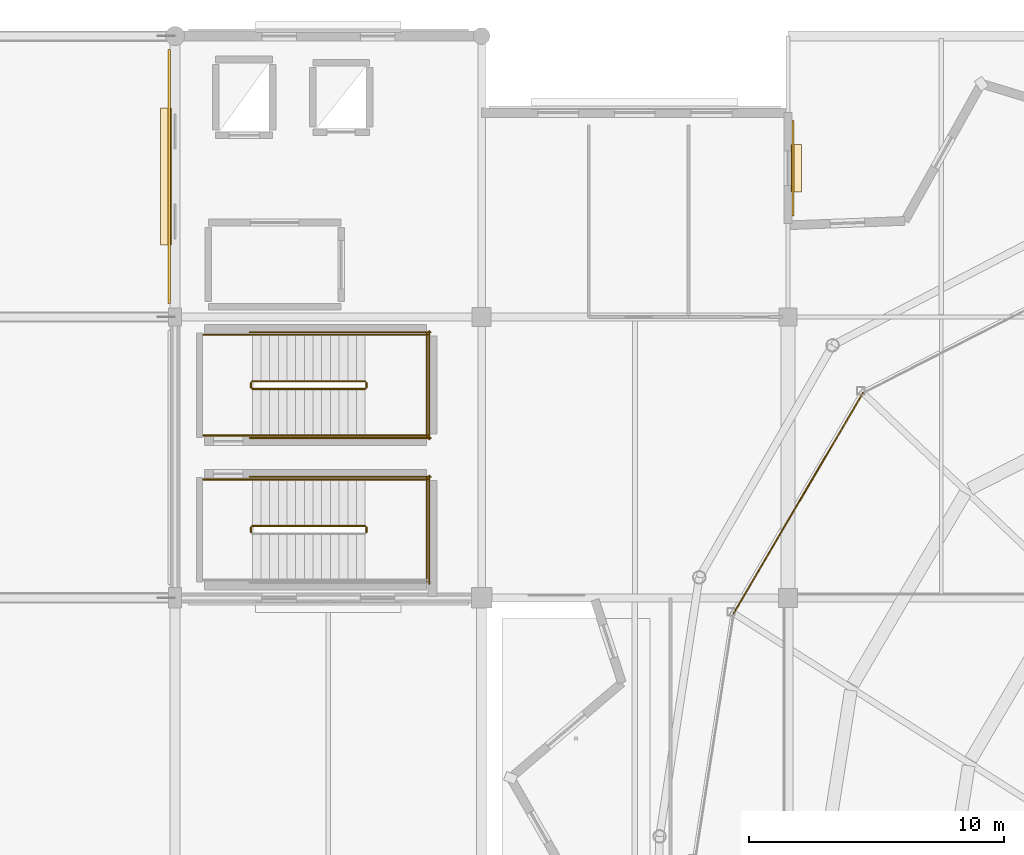
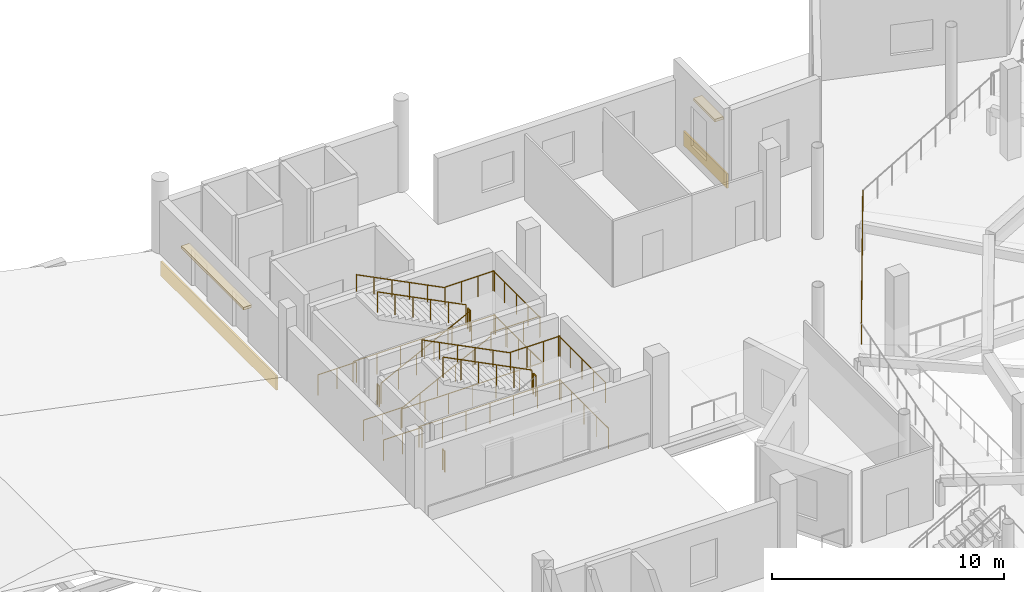
# One storey, part 70 of 77: 24 railings, 4 coverings.
"""IFC4 building model written with IfcOpenShell, lengths in metres."""

from ifc_helpers import new_model, si_unit, direction, frame, origin, origin_2d, place, context, subcontext, project, spatial, rectangle, circle, extrude, material, layer, layer_set, type_object, element, save


model = new_model("IFC4")

# Units and contexts
model_context = context("Model", 3, precision=1e-05, world=origin(), true_north=direction((0.0, 1.0)))
body_context = subcontext(model_context, "Body", "Model", "MODEL_VIEW")
ifc_project = project(units=[si_unit("LENGTHUNIT", "METRE"), si_unit("AREAUNIT", "SQUARE_METRE"), si_unit("VOLUMEUNIT", "CUBIC_METRE"), si_unit("PLANEANGLEUNIT", "RADIAN"), si_unit("MASSUNIT", "GRAM", prefix="KILO")], contexts=[model_context])

# Site, building, storey
site_placement = place(None, origin())
site = spatial("IfcSite", under=ifc_project, at=site_placement, CompositionType="ELEMENT")
building_placement = place(site_placement, origin())
building = spatial("IfcBuilding", under=site, at=building_placement, Name="Luwafu Chhajja Arena", CompositionType="ELEMENT")
storey_placement = place(building_placement, frame((0.0, 0.0, 14.699951171875)))
storey = spatial("IfcBuildingStorey", under=building, at=storey_placement, Name="L03", CompositionType="ELEMENT", Elevation=14.699951171875)

# Coverings
ifc_material_1 = material(Name="Red laterite sandstone cladding", Category="masonry")
ifc_layer = layer(ifc_material_1, 0.074951171875, Name="Red laterite sandstone cladding")
ifc_layer_set = layer_set([ifc_layer], Name="Red laterite sandstone cladding")
covering_type = type_object("IfcCoveringType", Name="Dressed Red-Laterite Sandstone Cladding", PredefinedType="CLADDING", material=ifc_layer_set)
covering_1_placement = place(storey_placement, frame((33.76806640625, 93.5, 0.0), z_axis=(0.0, 0.0, 1.0), x_axis=(0.0, 1.0, 0.0)))
element("IfcCovering", 1, at=covering_1_placement, inside=storey, type_object=covering_type, Name="L03 Red-Laterite Sandstone Plinth Cladding 085", PredefinedType="CLADDING", context=body_context, shape_type="SweptSolid", body=[
    extrude(rectangle(XDim=9.9599609375, YDim=0.0849609375, at=origin_2d()), origin(), (0.0, 0.0, 1.0), 0.760009765625),
])
covering_2_placement = place(storey_placement, frame((33.639892578125, 93.5, 2.93017578125), z_axis=(0.0, 0.0, 1.0), x_axis=(0.0, 1.0, 0.0)))
element("IfcCovering", 2, at=covering_2_placement, inside=storey, type_object=covering_type, Name="L03 Mughal Sandstone Window Chhajja Hood 0079", PredefinedType="CLADDING", context=body_context, shape_type="SweptSolid", body=[
    extrude(rectangle(XDim=5.3701171875, YDim=0.419921875, at=origin_2d()), origin(), (0.0, 0.0, 1.0), 0.139892578125),
])
covering_3_placement = place(storey_placement, frame((58.19189453125, 93.825927734375, 0.0), z_axis=(0.0, 0.0, 1.0), x_axis=(0.0, 1.0, 0.0)))
element("IfcCovering", 3, at=covering_3_placement, inside=storey, type_object=covering_type, Name="L03 Red-Laterite Sandstone Plinth Cladding 088", PredefinedType="CLADDING", context=body_context, shape_type="SweptSolid", body=[
    extrude(rectangle(XDim=3.748291015625, YDim=0.0849609375, at=origin_2d()), origin(), (0.0, 0.0, 1.0), 0.760009765625),
])
covering_4_placement = place(storey_placement, frame((58.320068359375, 93.82568359375, 2.93017578125), z_axis=(0.0, 0.0, 1.0), x_axis=(0.0, 1.0, 0.0)))
element("IfcCovering", 4, at=covering_4_placement, inside=storey, type_object=covering_type, Name="L03 Mughal Sandstone Window Chhajja Hood 0082", PredefinedType="CLADDING", context=body_context, shape_type="SweptSolid", body=[
    extrude(rectangle(XDim=1.85009765625, YDim=0.419921875, at=origin_2d()), origin(), (0.0, 0.0, 1.0), 0.139892578125),
])

# Railings
ifc_material_2 = material(Name="Stainless steel balustrade", Category="steel")
railing_type_1 = type_object("IfcRailingType", Name="Seating Bowl Sightline Barrier 1100", PredefinedType="BALUSTRADE", material=ifc_material_2)
railing_1_placement = place(storey_placement, frame((60.930908203125, 85.025390625, 2.030029296875)))
element("IfcRailing", 5, at=railing_1_placement, inside=storey, type_object=railing_type_1, Name="L03 Upper Tier Rear Barrier 0093", PredefinedType="BALUSTRADE", context=body_context, shape_type="SweptSolid", body=[
    extrude(circle(Radius=0.02392578125, at=origin_2d()), frame((0.0, 0.0, 1.09619140625), z_axis=(-0.505876655953, -0.86260582479, 0.0), x_axis=(0.86260582479, -0.505876655953, 0.0)), (0.0, 0.0, 1.0), 10.00634765625),
    extrude(circle(Radius=0.02099609375, at=origin_2d()), origin(), (0.0, 0.0, 1.0), 1.072021484375),
    extrude(circle(Radius=0.02099609375, at=origin_2d()), frame((-0.5625, -0.958984375, 0.0)), (0.0, 0.0, 1.0), 1.072021484375),
    extrude(circle(Radius=0.02099609375, at=origin_2d()), frame((-1.125, -1.918212890625, 0.0)), (0.0, 0.0, 1.0), 1.072021484375),
    extrude(circle(Radius=0.02099609375, at=origin_2d()), frame((-1.687255859375, -2.877197265625, 0.0)), (0.0, 0.0, 1.0), 1.072021484375),
    extrude(circle(Radius=0.02099609375, at=origin_2d()), frame((-2.249755859375, -3.836181640625, 0.0)), (0.0, 0.0, 1.0), 1.072021484375),
    extrude(circle(Radius=0.02099609375, at=origin_2d()), frame((-2.812255859375, -4.79541015625, 0.0)), (0.0, 0.0, 1.0), 1.072021484375),
    extrude(circle(Radius=0.02099609375, at=origin_2d()), frame((-3.374755859375, -5.75439453125, 0.0)), (0.0, 0.0, 1.0), 1.072021484375),
    extrude(circle(Radius=0.02099609375, at=origin_2d()), frame((-3.93701171875, -6.71337890625, 0.0)), (0.0, 0.0, 1.0), 1.072021484375),
    extrude(circle(Radius=0.02099609375, at=origin_2d()), frame((-4.49951171875, -7.672607421875, 0.0)), (0.0, 0.0, 1.0), 1.072021484375),
    extrude(circle(Radius=0.02099609375, at=origin_2d()), frame((-5.06201171875, -8.631591796875, 0.0)), (0.0, 0.0, 1.0), 1.072021484375),
])
ifc_material_3 = material(Name="Stainless steel handrail", Category="steel")
railing_type_2 = type_object("IfcRailingType", Name="Stair Pitch Wall Handrail 920", PredefinedType="HANDRAIL", material=ifc_material_3)
railing_2_placement = place(storey_placement, frame((41.43994140625, 81.639892578125, 2.571533203125)))
element("IfcRailing", 6, at=railing_2_placement, inside=storey, type_object=railing_type_2, Name="L03 ST-05 stair handrail 2", PredefinedType="HANDRAIL", context=body_context, shape_type="SweptSolid", body=[
    extrude(circle(Radius=0.02392578125, at=origin_2d()), frame((0.0, 0.0, 0.8759765625), z_axis=(-0.89292277971, 0.0, 0.450209850486), x_axis=(0.0, -1.0, 0.0)), (0.0, 0.0, 1.0), 4.949951171875),
    extrude(circle(Radius=0.02099609375, at=origin_2d()), origin(), (0.0, 0.0, 1.0), 0.851806640625),
    extrude(circle(Radius=0.02099609375, at=origin_2d()), frame((-0.884033203125, 0.0, 0.44580078125)), (0.0, 0.0, 1.0), 0.851806640625),
    extrude(circle(Radius=0.02099609375, at=origin_2d()), frame((-1.76806640625, 0.0, 0.891357421875)), (0.0, 0.0, 1.0), 0.851806640625),
    extrude(circle(Radius=0.02099609375, at=origin_2d()), frame((-2.65185546875, 0.0, 1.337158203125)), (0.0, 0.0, 1.0), 0.851806640625),
    extrude(circle(Radius=0.02099609375, at=origin_2d()), frame((-3.535888671875, 0.0, 1.78271484375)), (0.0, 0.0, 1.0), 0.851806640625),
    extrude(circle(Radius=0.02099609375, at=origin_2d()), frame((-4.419921875, 0.0, 2.228515625)), (0.0, 0.0, 1.0), 0.851806640625),
])
railing_3_placement = place(storey_placement, frame((37.02001953125, 83.360107421875, 0.17138671875)))
element("IfcRailing", 7, at=railing_3_placement, inside=storey, type_object=railing_type_2, Name="L03 ST-06 stair handrail 1", PredefinedType="HANDRAIL", context=body_context, shape_type="SweptSolid", body=[
    extrude(circle(Radius=0.02392578125, at=origin_2d()), frame((0.0, 0.0, 0.8759765625), z_axis=(0.892902951771, 0.0, 0.450249174034), x_axis=(0.0, 1.0, 0.0)), (0.0, 0.0, 1.0), 4.949951171875),
    extrude(circle(Radius=0.02099609375, at=origin_2d()), origin(), (0.0, 0.0, 1.0), 0.851806640625),
    extrude(circle(Radius=0.02099609375, at=origin_2d()), frame((0.884033203125, 0.0, 0.44580078125)), (0.0, 0.0, 1.0), 0.851806640625),
    extrude(circle(Radius=0.02099609375, at=origin_2d()), frame((1.76806640625, 0.0, 0.8916015625)), (0.0, 0.0, 1.0), 0.851806640625),
    extrude(circle(Radius=0.02099609375, at=origin_2d()), frame((2.65185546875, 0.0, 1.337158203125)), (0.0, 0.0, 1.0), 0.851806640625),
    extrude(circle(Radius=0.02099609375, at=origin_2d()), frame((3.535888671875, 0.0, 1.782958984375)), (0.0, 0.0, 1.0), 0.851806640625),
    extrude(circle(Radius=0.02099609375, at=origin_2d()), frame((4.419921875, 0.0, 2.228759765625)), (0.0, 0.0, 1.0), 0.851806640625),
])
railing_4_placement = place(storey_placement, frame((41.43994140625, 87.300048828125, 2.571533203125)))
element("IfcRailing", 8, at=railing_4_placement, inside=storey, type_object=railing_type_2, Name="L03 ST-06 stair handrail 2", PredefinedType="HANDRAIL", context=body_context, shape_type="SweptSolid", body=[
    extrude(circle(Radius=0.02392578125, at=origin_2d()), frame((0.0, 0.0, 0.8759765625), z_axis=(-0.89292277971, 0.0, 0.450209850486), x_axis=(0.0, -1.0, 0.0)), (0.0, 0.0, 1.0), 4.949951171875),
    extrude(circle(Radius=0.02099609375, at=origin_2d()), origin(), (0.0, 0.0, 1.0), 0.851806640625),
    extrude(circle(Radius=0.02099609375, at=origin_2d()), frame((-0.884033203125, 0.0, 0.44580078125)), (0.0, 0.0, 1.0), 0.851806640625),
    extrude(circle(Radius=0.02099609375, at=origin_2d()), frame((-1.76806640625, 0.0, 0.891357421875)), (0.0, 0.0, 1.0), 0.851806640625),
    extrude(circle(Radius=0.02099609375, at=origin_2d()), frame((-2.65185546875, 0.0, 1.337158203125)), (0.0, 0.0, 1.0), 0.851806640625),
    extrude(circle(Radius=0.02099609375, at=origin_2d()), frame((-3.535888671875, 0.0, 1.78271484375)), (0.0, 0.0, 1.0), 0.851806640625),
    extrude(circle(Radius=0.02099609375, at=origin_2d()), frame((-4.419921875, 0.0, 2.228515625)), (0.0, 0.0, 1.0), 0.851806640625),
])
railing_type_3 = type_object("IfcRailingType", Name="Stair and Terrace Guard Balustrade 1100", PredefinedType="BALUSTRADE", material=ifc_material_2)
railing_5_placement = place(storey_placement, frame((41.489990234375, 79.570068359375, 2.400146484375)))
element("IfcRailing", 9, at=railing_5_placement, inside=storey, type_object=railing_type_3, Name="L03 ST-05 stair guard 2", PredefinedType="BALUSTRADE", context=body_context, shape_type="SweptSolid", body=[
    extrude(circle(Radius=0.02392578125, at=origin_2d()), frame((0.0, 0.0, 1.076171875), z_axis=(0.0, 1.0, 0.0), x_axis=(-1.0, 0.0, 0.0)), (0.0, 0.0, 1.0), 0.199951171875),
    extrude(circle(Radius=0.02099609375, at=origin_2d()), origin(), (0.0, 0.0, 1.0), 1.052001953125),
    extrude(circle(Radius=0.02099609375, at=origin_2d()), frame((0.0, 0.199951171875, 0.0)), (0.0, 0.0, 1.0), 1.052001953125),
])
railing_6_placement = place(storey_placement, frame((41.43994140625, 81.639892578125, 2.400146484375)))
element("IfcRailing", 10, at=railing_6_placement, inside=storey, type_object=railing_type_3, Name="L03 ST-05 stair guard 4", PredefinedType="BALUSTRADE", context=body_context, shape_type="SweptSolid", body=[
    extrude(circle(Radius=0.02392578125, at=origin_2d()), frame((0.0, 0.0, 1.076171875), z_axis=(1.0, 0.0, 0.0), x_axis=(0.0, 1.0, 0.0)), (0.0, 0.0, 1.0), 2.4599609375),
    extrude(circle(Radius=0.02099609375, at=origin_2d()), origin(), (0.0, 0.0, 1.0), 1.052001953125),
    extrude(circle(Radius=0.02099609375, at=origin_2d()), frame((0.820068359375, 0.0, 0.0)), (0.0, 0.0, 1.0), 1.052001953125),
    extrude(circle(Radius=0.02099609375, at=origin_2d()), frame((1.639892578125, 0.0, 0.0)), (0.0, 0.0, 1.0), 1.052001953125),
    extrude(circle(Radius=0.02099609375, at=origin_2d()), frame((2.4599609375, 0.0, 0.0)), (0.0, 0.0, 1.0), 1.052001953125),
])
railing_7_placement = place(storey_placement, frame((43.85009765625, 77.64990234375, 2.400146484375)))
element("IfcRailing", 11, at=railing_7_placement, inside=storey, type_object=railing_type_3, Name="L03 ST-05 stair guard 5", PredefinedType="BALUSTRADE", context=body_context, shape_type="SweptSolid", body=[
    extrude(circle(Radius=0.02392578125, at=origin_2d()), frame((0.0, 0.0, 1.076171875), z_axis=(0.0, 1.0, 0.0), x_axis=(-1.0, 0.0, 0.0)), (0.0, 0.0, 1.0), 4.0400390625),
    extrude(circle(Radius=0.02099609375, at=origin_2d()), origin(), (0.0, 0.0, 1.0), 1.052001953125),
    extrude(circle(Radius=0.02099609375, at=origin_2d()), frame((0.0, 1.010009765625, 0.0)), (0.0, 0.0, 1.0), 1.052001953125),
    extrude(circle(Radius=0.02099609375, at=origin_2d()), frame((0.0, 2.02001953125, 0.0)), (0.0, 0.0, 1.0), 1.052001953125),
    extrude(circle(Radius=0.02099609375, at=origin_2d()), frame((0.0, 3.030029296875, 0.0)), (0.0, 0.0, 1.0), 1.052001953125),
    extrude(circle(Radius=0.02099609375, at=origin_2d()), frame((0.0, 4.0400390625, 0.0)), (0.0, 0.0, 1.0), 1.052001953125),
])
railing_8_placement = place(storey_placement, frame((41.43994140625, 79.820068359375, 2.571533203125)))
element("IfcRailing", 12, at=railing_8_placement, inside=storey, type_object=railing_type_3, Name="L03 ST-05 stair guard 6", PredefinedType="BALUSTRADE", context=body_context, shape_type="SweptSolid", body=[
    extrude(circle(Radius=0.02392578125, at=origin_2d()), frame((0.0, 0.0, 1.076171875), z_axis=(-0.89292277971, 0.0, 0.450209850486), x_axis=(0.0, -1.0, 0.0)), (0.0, 0.0, 1.0), 4.949951171875),
    extrude(circle(Radius=0.02099609375, at=origin_2d()), origin(), (0.0, 0.0, 1.0), 1.052001953125),
    extrude(circle(Radius=0.02099609375, at=origin_2d()), frame((-0.884033203125, 0.0, 0.44580078125)), (0.0, 0.0, 1.0), 1.052001953125),
    extrude(circle(Radius=0.02099609375, at=origin_2d()), frame((-1.76806640625, 0.0, 0.891357421875)), (0.0, 0.0, 1.0), 1.052001953125),
    extrude(circle(Radius=0.02099609375, at=origin_2d()), frame((-2.65185546875, 0.0, 1.337158203125)), (0.0, 0.0, 1.0), 1.052001953125),
    extrude(circle(Radius=0.02099609375, at=origin_2d()), frame((-3.535888671875, 0.0, 1.78271484375)), (0.0, 0.0, 1.0), 1.052001953125),
    extrude(circle(Radius=0.02099609375, at=origin_2d()), frame((-4.419921875, 0.0, 2.228515625)), (0.0, 0.0, 1.0), 1.052001953125),
])
railing_9_placement = place(storey_placement, frame((36.969970703125, 79.570068359375, 0.0)))
element("IfcRailing", 13, at=railing_9_placement, inside=storey, type_object=railing_type_3, Name="L03 ST-05 stair guard 7", PredefinedType="BALUSTRADE", context=body_context, shape_type="SweptSolid", body=[
    extrude(circle(Radius=0.02392578125, at=origin_2d()), frame((0.0, 0.0, 1.076171875), z_axis=(0.0, 1.0, 0.0), x_axis=(-1.0, 0.0, 0.0)), (0.0, 0.0, 1.0), 0.199951171875),
    extrude(circle(Radius=0.02099609375, at=origin_2d()), origin(), (0.0, 0.0, 1.0), 1.052001953125),
    extrude(circle(Radius=0.02099609375, at=origin_2d()), frame((0.0, 0.199951171875, 0.0)), (0.0, 0.0, 1.0), 1.052001953125),
])
railing_10_placement = place(storey_placement, frame((35.10009765625, 81.639892578125, 0.0)))
element("IfcRailing", 14, at=railing_10_placement, inside=storey, type_object=railing_type_3, Name="L03 ST-05 stair guard 9", PredefinedType="BALUSTRADE", context=body_context, shape_type="SweptSolid", body=[
    extrude(circle(Radius=0.02392578125, at=origin_2d()), frame((0.0, 0.0, 1.076171875), z_axis=(1.0, 0.0, 0.0), x_axis=(0.0, 1.0, 0.0)), (0.0, 0.0, 1.0), 1.919921875),
    extrude(circle(Radius=0.02099609375, at=origin_2d()), origin(), (0.0, 0.0, 1.0), 1.052001953125),
    extrude(circle(Radius=0.02099609375, at=origin_2d()), frame((0.9599609375, 0.0, 0.0)), (0.0, 0.0, 1.0), 1.052001953125),
    extrude(circle(Radius=0.02099609375, at=origin_2d()), frame((1.919921875, 0.0, 0.0)), (0.0, 0.0, 1.0), 1.052001953125),
])
railing_11_placement = place(storey_placement, frame((36.919921875, 81.739990234375, 0.0)))
element("IfcRailing", 15, at=railing_11_placement, inside=storey, type_object=railing_type_3, Name="L03 ST-05 stair guard 11", PredefinedType="BALUSTRADE", context=body_context, shape_type="SweptSolid", body=[
    extrude(circle(Radius=0.02392578125, at=origin_2d()), frame((0.0, 0.0, 1.076171875), z_axis=(1.0, 0.0, 0.0), x_axis=(0.0, 1.0, 0.0)), (0.0, 0.0, 1.0), 7.080078125),
    extrude(circle(Radius=0.02099609375, at=origin_2d()), origin(), (0.0, 0.0, 1.0), 1.052001953125),
    extrude(circle(Radius=0.02099609375, at=origin_2d()), frame((1.179931640625, 0.0, 0.0)), (0.0, 0.0, 1.0), 1.052001953125),
    extrude(circle(Radius=0.02099609375, at=origin_2d()), frame((2.360107421875, 0.0, 0.0)), (0.0, 0.0, 1.0), 1.052001953125),
    extrude(circle(Radius=0.02099609375, at=origin_2d()), frame((3.5400390625, 0.0, 0.0)), (0.0, 0.0, 1.0), 1.052001953125),
    extrude(circle(Radius=0.02099609375, at=origin_2d()), frame((4.719970703125, 0.0, 0.0)), (0.0, 0.0, 1.0), 1.052001953125),
    extrude(circle(Radius=0.02099609375, at=origin_2d()), frame((5.900146484375, 0.0, 0.0)), (0.0, 0.0, 1.0), 1.052001953125),
    extrude(circle(Radius=0.02099609375, at=origin_2d()), frame((7.080078125, 0.0, 0.0)), (0.0, 0.0, 1.0), 1.052001953125),
])
railing_12_placement = place(storey_placement, frame((43.949951171875, 77.550048828125, 0.0)))
element("IfcRailing", 16, at=railing_12_placement, inside=storey, type_object=railing_type_3, Name="L03 ST-05 stair guard 12", PredefinedType="BALUSTRADE", context=body_context, shape_type="SweptSolid", body=[
    extrude(circle(Radius=0.02392578125, at=origin_2d()), frame((0.0, 0.0, 1.076171875), z_axis=(0.0, 1.0, 0.0), x_axis=(-1.0, 0.0, 0.0)), (0.0, 0.0, 1.0), 4.239990234375),
    extrude(circle(Radius=0.02099609375, at=origin_2d()), origin(), (0.0, 0.0, 1.0), 1.052001953125),
    extrude(circle(Radius=0.02099609375, at=origin_2d()), frame((0.0, 1.06005859375, 0.0)), (0.0, 0.0, 1.0), 1.052001953125),
    extrude(circle(Radius=0.02099609375, at=origin_2d()), frame((0.0, 2.1201171875, 0.0)), (0.0, 0.0, 1.0), 1.052001953125),
    extrude(circle(Radius=0.02099609375, at=origin_2d()), frame((0.0, 3.179931640625, 0.0)), (0.0, 0.0, 1.0), 1.052001953125),
    extrude(circle(Radius=0.02099609375, at=origin_2d()), frame((0.0, 4.239990234375, 0.0)), (0.0, 0.0, 1.0), 1.052001953125),
])
railing_13_placement = place(storey_placement, frame((37.02001953125, 85.179931640625, 0.17138671875)))
element("IfcRailing", 17, at=railing_13_placement, inside=storey, type_object=railing_type_3, Name="L03 ST-06 stair guard 1", PredefinedType="BALUSTRADE", context=body_context, shape_type="SweptSolid", body=[
    extrude(circle(Radius=0.02392578125, at=origin_2d()), frame((0.0, 0.0, 1.076171875), z_axis=(0.892902951771, 0.0, 0.450249174034), x_axis=(0.0, 1.0, 0.0)), (0.0, 0.0, 1.0), 4.949951171875),
    extrude(circle(Radius=0.02099609375, at=origin_2d()), origin(), (0.0, 0.0, 1.0), 1.052001953125),
    extrude(circle(Radius=0.02099609375, at=origin_2d()), frame((0.884033203125, 0.0, 0.44580078125)), (0.0, 0.0, 1.0), 1.052001953125),
    extrude(circle(Radius=0.02099609375, at=origin_2d()), frame((1.76806640625, 0.0, 0.8916015625)), (0.0, 0.0, 1.0), 1.052001953125),
    extrude(circle(Radius=0.02099609375, at=origin_2d()), frame((2.65185546875, 0.0, 1.337158203125)), (0.0, 0.0, 1.0), 1.052001953125),
    extrude(circle(Radius=0.02099609375, at=origin_2d()), frame((3.535888671875, 0.0, 1.782958984375)), (0.0, 0.0, 1.0), 1.052001953125),
    extrude(circle(Radius=0.02099609375, at=origin_2d()), frame((4.419921875, 0.0, 2.228759765625)), (0.0, 0.0, 1.0), 1.052001953125),
])
railing_14_placement = place(storey_placement, frame((41.489990234375, 85.22998046875, 2.400146484375)))
element("IfcRailing", 18, at=railing_14_placement, inside=storey, type_object=railing_type_3, Name="L03 ST-06 stair guard 2", PredefinedType="BALUSTRADE", context=body_context, shape_type="SweptSolid", body=[
    extrude(circle(Radius=0.02392578125, at=origin_2d()), frame((0.0, 0.0, 1.076171875), z_axis=(0.0, 1.0, 0.0), x_axis=(-1.0, 0.0, 0.0)), (0.0, 0.0, 1.0), 0.199951171875),
    extrude(circle(Radius=0.02099609375, at=origin_2d()), origin(), (0.0, 0.0, 1.0), 1.052001953125),
    extrude(circle(Radius=0.02099609375, at=origin_2d()), frame((0.0, 0.199951171875, 0.0)), (0.0, 0.0, 1.0), 1.052001953125),
])
for number, where, name in (
    (19, (41.43994140625, 83.360107421875, 2.400146484375), "L03 ST-06 stair guard 3"),
    (20, (41.43994140625, 87.300048828125, 2.400146484375), "L03 ST-06 stair guard 4"),
):
    element("IfcRailing", number, at=place(storey_placement, frame(where)), inside=storey, type_object=railing_type_3, Name=name, PredefinedType="BALUSTRADE", context=body_context, shape_type="SweptSolid", body=[
        extrude(circle(Radius=0.02392578125, at=origin_2d()), frame((0.0, 0.0, 1.076171875), z_axis=(1.0, 0.0, 0.0), x_axis=(0.0, 1.0, 0.0)), (0.0, 0.0, 1.0), 2.4599609375),
        extrude(circle(Radius=0.02099609375, at=origin_2d()), origin(), (0.0, 0.0, 1.0), 1.052001953125),
        extrude(circle(Radius=0.02099609375, at=origin_2d()), frame((0.820068359375, 0.0, 0.0)), (0.0, 0.0, 1.0), 1.052001953125),
        extrude(circle(Radius=0.02099609375, at=origin_2d()), frame((1.639892578125, 0.0, 0.0)), (0.0, 0.0, 1.0), 1.052001953125),
        extrude(circle(Radius=0.02099609375, at=origin_2d()), frame((2.4599609375, 0.0, 0.0)), (0.0, 0.0, 1.0), 1.052001953125),
    ])
railing_15_placement = place(storey_placement, frame((43.85009765625, 83.31005859375, 2.400146484375)))
element("IfcRailing", 21, at=railing_15_placement, inside=storey, type_object=railing_type_3, Name="L03 ST-06 stair guard 5", PredefinedType="BALUSTRADE", context=body_context, shape_type="SweptSolid", body=[
    extrude(circle(Radius=0.02392578125, at=origin_2d()), frame((0.0, 0.0, 1.076171875), z_axis=(0.0, 1.0, 0.0), x_axis=(-1.0, 0.0, 0.0)), (0.0, 0.0, 1.0), 4.0400390625),
    extrude(circle(Radius=0.02099609375, at=origin_2d()), origin(), (0.0, 0.0, 1.0), 1.052001953125),
    extrude(circle(Radius=0.02099609375, at=origin_2d()), frame((0.0, 1.010009765625, 0.0)), (0.0, 0.0, 1.0), 1.052001953125),
    extrude(circle(Radius=0.02099609375, at=origin_2d()), frame((0.0, 2.02001953125, 0.0)), (0.0, 0.0, 1.0), 1.052001953125),
    extrude(circle(Radius=0.02099609375, at=origin_2d()), frame((0.0, 3.030029296875, 0.0)), (0.0, 0.0, 1.0), 1.052001953125),
    extrude(circle(Radius=0.02099609375, at=origin_2d()), frame((0.0, 4.0400390625, 0.0)), (0.0, 0.0, 1.0), 1.052001953125),
])
railing_16_placement = place(storey_placement, frame((41.43994140625, 85.47998046875, 2.571533203125)))
element("IfcRailing", 22, at=railing_16_placement, inside=storey, type_object=railing_type_3, Name="L03 ST-06 stair guard 6", PredefinedType="BALUSTRADE", context=body_context, shape_type="SweptSolid", body=[
    extrude(circle(Radius=0.02392578125, at=origin_2d()), frame((0.0, 0.0, 1.076171875), z_axis=(-0.89292277971, 0.0, 0.450209850486), x_axis=(0.0, -1.0, 0.0)), (0.0, 0.0, 1.0), 4.949951171875),
    extrude(circle(Radius=0.02099609375, at=origin_2d()), origin(), (0.0, 0.0, 1.0), 1.052001953125),
    extrude(circle(Radius=0.02099609375, at=origin_2d()), frame((-0.884033203125, 0.0, 0.44580078125)), (0.0, 0.0, 1.0), 1.052001953125),
    extrude(circle(Radius=0.02099609375, at=origin_2d()), frame((-1.76806640625, 0.0, 0.891357421875)), (0.0, 0.0, 1.0), 1.052001953125),
    extrude(circle(Radius=0.02099609375, at=origin_2d()), frame((-2.65185546875, 0.0, 1.337158203125)), (0.0, 0.0, 1.0), 1.052001953125),
    extrude(circle(Radius=0.02099609375, at=origin_2d()), frame((-3.535888671875, 0.0, 1.78271484375)), (0.0, 0.0, 1.0), 1.052001953125),
    extrude(circle(Radius=0.02099609375, at=origin_2d()), frame((-4.419921875, 0.0, 2.228515625)), (0.0, 0.0, 1.0), 1.052001953125),
])
railing_17_placement = place(storey_placement, frame((36.969970703125, 85.22998046875, 0.0)))
element("IfcRailing", 23, at=railing_17_placement, inside=storey, type_object=railing_type_3, Name="L03 ST-06 stair guard 7", PredefinedType="BALUSTRADE", context=body_context, shape_type="SweptSolid", body=[
    extrude(circle(Radius=0.02392578125, at=origin_2d()), frame((0.0, 0.0, 1.076171875), z_axis=(0.0, 1.0, 0.0), x_axis=(-1.0, 0.0, 0.0)), (0.0, 0.0, 1.0), 0.199951171875),
    extrude(circle(Radius=0.02099609375, at=origin_2d()), origin(), (0.0, 0.0, 1.0), 1.052001953125),
    extrude(circle(Radius=0.02099609375, at=origin_2d()), frame((0.0, 0.199951171875, 0.0)), (0.0, 0.0, 1.0), 1.052001953125),
])
for number, where, name in (
    (24, (35.10009765625, 83.360107421875, 0.0), "L03 ST-06 stair guard 8"),
    (25, (35.10009765625, 87.300048828125, 0.0), "L03 ST-06 stair guard 9"),
):
    element("IfcRailing", number, at=place(storey_placement, frame(where)), inside=storey, type_object=railing_type_3, Name=name, PredefinedType="BALUSTRADE", context=body_context, shape_type="SweptSolid", body=[
        extrude(circle(Radius=0.02392578125, at=origin_2d()), frame((0.0, 0.0, 1.076171875), z_axis=(1.0, 0.0, 0.0), x_axis=(0.0, 1.0, 0.0)), (0.0, 0.0, 1.0), 1.919921875),
        extrude(circle(Radius=0.02099609375, at=origin_2d()), origin(), (0.0, 0.0, 1.0), 1.052001953125),
        extrude(circle(Radius=0.02099609375, at=origin_2d()), frame((0.9599609375, 0.0, 0.0)), (0.0, 0.0, 1.0), 1.052001953125),
        extrude(circle(Radius=0.02099609375, at=origin_2d()), frame((1.919921875, 0.0, 0.0)), (0.0, 0.0, 1.0), 1.052001953125),
    ])
for number, where, name in (
    (26, (36.919921875, 83.260009765625, 0.0), "L03 ST-06 stair guard 10"),
    (27, (36.919921875, 87.39990234375, 0.0), "L03 ST-06 stair guard 11"),
):
    element("IfcRailing", number, at=place(storey_placement, frame(where)), inside=storey, type_object=railing_type_3, Name=name, PredefinedType="BALUSTRADE", context=body_context, shape_type="SweptSolid", body=[
        extrude(circle(Radius=0.02392578125, at=origin_2d()), frame((0.0, 0.0, 1.076171875), z_axis=(1.0, 0.0, 0.0), x_axis=(0.0, 1.0, 0.0)), (0.0, 0.0, 1.0), 7.080078125),
        extrude(circle(Radius=0.02099609375, at=origin_2d()), origin(), (0.0, 0.0, 1.0), 1.052001953125),
        extrude(circle(Radius=0.02099609375, at=origin_2d()), frame((1.179931640625, 0.0, 0.0)), (0.0, 0.0, 1.0), 1.052001953125),
        extrude(circle(Radius=0.02099609375, at=origin_2d()), frame((2.360107421875, 0.0, 0.0)), (0.0, 0.0, 1.0), 1.052001953125),
        extrude(circle(Radius=0.02099609375, at=origin_2d()), frame((3.5400390625, 0.0, 0.0)), (0.0, 0.0, 1.0), 1.052001953125),
        extrude(circle(Radius=0.02099609375, at=origin_2d()), frame((4.719970703125, 0.0, 0.0)), (0.0, 0.0, 1.0), 1.052001953125),
        extrude(circle(Radius=0.02099609375, at=origin_2d()), frame((5.900146484375, 0.0, 0.0)), (0.0, 0.0, 1.0), 1.052001953125),
        extrude(circle(Radius=0.02099609375, at=origin_2d()), frame((7.080078125, 0.0, 0.0)), (0.0, 0.0, 1.0), 1.052001953125),
    ])
railing_18_placement = place(storey_placement, frame((43.949951171875, 83.2099609375, 0.0)))
element("IfcRailing", 28, at=railing_18_placement, inside=storey, type_object=railing_type_3, Name="L03 ST-06 stair guard 12", PredefinedType="BALUSTRADE", context=body_context, shape_type="SweptSolid", body=[
    extrude(circle(Radius=0.02392578125, at=origin_2d()), frame((0.0, 0.0, 1.076171875), z_axis=(0.0, 1.0, 0.0), x_axis=(-1.0, 0.0, 0.0)), (0.0, 0.0, 1.0), 4.239990234375),
    extrude(circle(Radius=0.02099609375, at=origin_2d()), origin(), (0.0, 0.0, 1.0), 1.052001953125),
    extrude(circle(Radius=0.02099609375, at=origin_2d()), frame((0.0, 1.06005859375, 0.0)), (0.0, 0.0, 1.0), 1.052001953125),
    extrude(circle(Radius=0.02099609375, at=origin_2d()), frame((0.0, 2.1201171875, 0.0)), (0.0, 0.0, 1.0), 1.052001953125),
    extrude(circle(Radius=0.02099609375, at=origin_2d()), frame((0.0, 3.179931640625, 0.0)), (0.0, 0.0, 1.0), 1.052001953125),
    extrude(circle(Radius=0.02099609375, at=origin_2d()), frame((0.0, 4.239990234375, 0.0)), (0.0, 0.0, 1.0), 1.052001953125),
])

save(model, "model.ifc")
